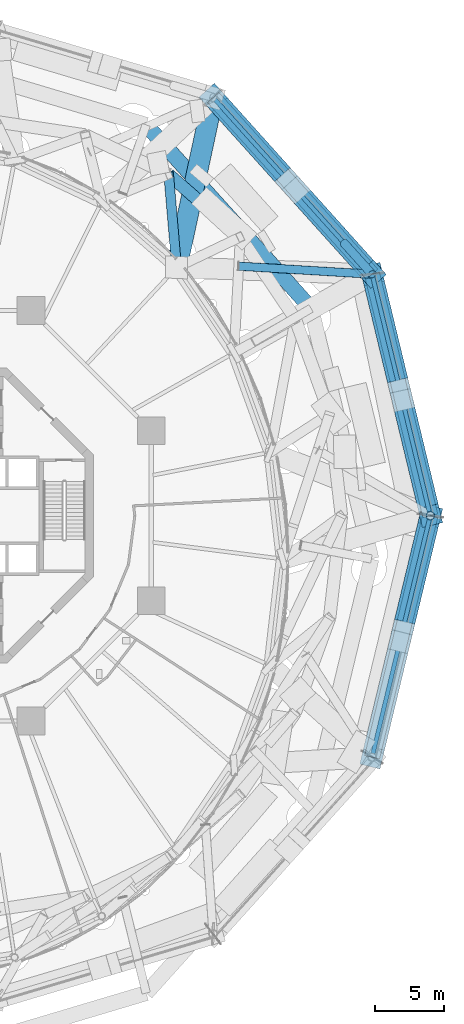
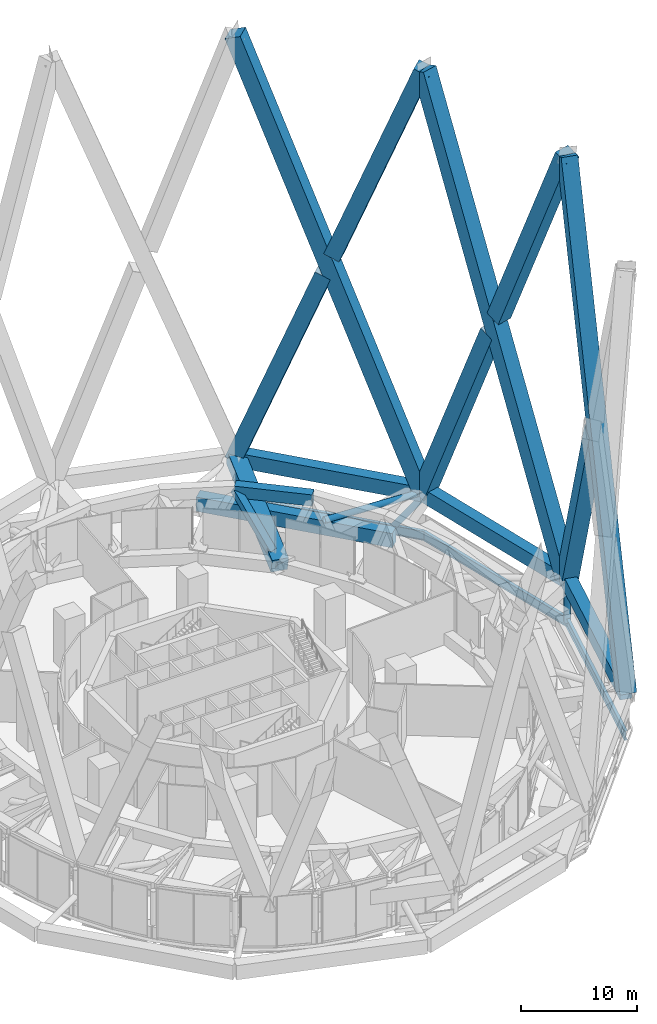
# One storey, part 34 of 49: 16 members, 5 beams.
"""IFC4 building model written with IfcOpenShell, lengths in metres."""

from ifc_helpers import new_model, si_unit, direction, frame, origin, origin_2d, place, context, subcontext, project, spatial, rectangle, hollow_rectangle, hollow_circle, i_section, extrude, material, material_profile, profile_set, type_object, element, save


model = new_model("IFC4")

# Units and contexts
model_context = context("Model", 3, precision=1e-05, world=origin(), true_north=direction((0.0, 1.0)))
body_context = subcontext(model_context, "Body", "Model", "MODEL_VIEW")
ifc_project = project(units=[si_unit("LENGTHUNIT", "METRE"), si_unit("AREAUNIT", "SQUARE_METRE"), si_unit("VOLUMEUNIT", "CUBIC_METRE"), si_unit("PLANEANGLEUNIT", "RADIAN"), si_unit("MASSUNIT", "GRAM", prefix="KILO")], contexts=[model_context])

# Site, building, storey
site_placement = place(None, origin())
site = spatial("IfcSite", under=ifc_project, at=site_placement, CompositionType="ELEMENT")
building_placement = place(site_placement, origin())
building = spatial("IfcBuilding", under=site, at=building_placement, Name="Nagisa Residences", CompositionType="ELEMENT")
storey_placement = place(building_placement, frame((0.0, 0.0, 160.300048828125)))
storey = spatial("IfcBuildingStorey", under=building, at=storey_placement, Name="L40", CompositionType="ELEMENT", Elevation=160.300048828125)

# Beams
ifc_material_1 = material(Name="Steel ASTM A572 Gr 50", Category="steel")
ifc_material_profile_1 = material_profile(ifc_material_1, hollow_rectangle(XDim=0.89990234375, YDim=1.199951171875, WallThickness=0.044921875, at=origin_2d()), Name="BX 900x1200x45")
ifc_profile_set_1 = profile_set([ifc_material_profile_1], Name="Steel ASTM A572 Gr 50")
beam_type_1 = type_object("IfcBeamType", Name="Belt chord 3 BX 900x1200x45", PredefinedType="BEAM", material=ifc_profile_set_1)
beam_1_placement = place(storey_placement, frame((21.189208984375, 20.064208984375, 4.739990234375), z_axis=(-0.752459604725, 0.658638400989, 0.0), x_axis=(-0.658638400989, -0.752459604725, 0.0)))
element("IfcBeam", 1, at=beam_1_placement, inside=storey, type_object=beam_type_1, Name="beam:L40:bt3t04", PredefinedType="BEAM", context=body_context, shape_type="SweptSolid", body=[
    extrude(hollow_rectangle(XDim=0.89990234375, YDim=1.199951171875, WallThickness=0.044921875, at=origin_2d()), origin(), (0.0, 0.0, 1.0), 6.846435546875),
])
ifc_material_2 = material(Name="Steel ASTM A572 Gr 50", Category="steel")
ifc_material_profile_2 = material_profile(ifc_material_2, hollow_rectangle(XDim=0.699951171875, YDim=0.699951171875, WallThickness=0.0400390625, at=origin_2d()), Name="BX 700x700x40")
ifc_profile_set_2 = profile_set([ifc_material_profile_2], Name="Steel ASTM A572 Gr 50")
beam_type_2 = type_object("IfcBeamType", Name="Belt diagonal 3 BX 700x700x40", PredefinedType="BEAM", material=ifc_profile_set_2)
beam_2_placement = place(storey_placement, frame((16.609619140625, 17.8798828125, 0.599853515625), z_axis=(-0.072487812944, 0.848228069772, 0.524647175372), x_axis=(-0.996368350853, -0.085147574353, 0.0)))
element("IfcBeam", 2, at=beam_2_placement, inside=storey, type_object=beam_type_2, Name="beam:L40:bt3db04", PredefinedType="BEAM", context=body_context, shape_type="SweptSolid", body=[
    extrude(hollow_rectangle(XDim=0.699951171875, YDim=0.699951171875, WallThickness=0.0400390625, at=origin_2d()), origin(), (0.0, 0.0, 1.0), 7.891357421875),
])

# Members
ifc_material_3 = material(Name="Concrete C80", Category="concrete")
ifc_material_profile_3 = material_profile(ifc_material_3, rectangle(XDim=1.5, YDim=1.5, at=origin_2d()), Name="C80 1500x1500")
ifc_profile_set_3 = profile_set([ifc_material_profile_3], Name="Concrete C80")
member_type_1 = type_object("IfcMemberType", Name="Cage bracket 4 C80 1500x1500", PredefinedType="BRACE", material=ifc_profile_set_3)
member_1_placement = place(storey_placement, frame((19.237548828125, 30.115966796875, 3.699951171875), z_axis=(-0.203820613095, -0.949023161253, -0.240441670855), x_axis=(0.977705532642, -0.209980693018, 0.0)))
element("IfcMember", 3, at=member_1_placement, inside=storey, type_object=member_type_1, Name="mem:L40:cg3ob06", PredefinedType="BRACE", context=body_context, shape_type="SweptSolid", body=[
    extrude(rectangle(XDim=1.5, YDim=1.5, at=origin_2d()), origin(), (0.0, 0.0, 1.0), 12.893310546875),
])
ifc_material_4 = material(Name="Concrete C80", Category="concrete")
ifc_material_profile_4 = material_profile(ifc_material_4, rectangle(XDim=1.5, YDim=1.5, at=origin_2d()), Name="C80 1500x1500")
ifc_profile_set_4 = profile_set([ifc_material_profile_4], Name="Concrete C80")
member_type_2 = type_object("IfcMemberType", Name="Cage diagonal 4 C80 1500x1500", PredefinedType="BRACE", material=ifc_profile_set_4)
member_2_placement = place(storey_placement, frame((34.875, 0.0, 3.699951171875), z_axis=(-0.087363866496, 0.362543247174, 0.927863108847), x_axis=(-0.972171785839, -0.234269116227, 0.0)))
element("IfcMember", 4, at=member_2_placement, inside=storey, type_object=member_type_2, Name="mem:L40:cg4d001", PredefinedType="BRACE", context=body_context, shape_type="SweptSolid", body=[
    extrude(rectangle(XDim=1.5, YDim=1.5, at=origin_2d()), origin(), (0.0, 0.0, 1.0), 47.959716796875),
])
for number, where, z_axis, x_axis, name in (
    (5, (30.68505859375, 17.387451171875, 3.699951171875), (0.087360332, -0.362545377801, 0.927862609133), (0.97217425792, 0.23425885733, 0.0), "mem:L40:cg4d002a"),
    (6, (32.872802734375, 8.30810546875, 26.93701171875), (0.087370904377, -0.362545040356, 0.92786174551), (0.972167751465, 0.234285857472, 0.0), "mem:L40:cg4d002b"),
):
    element("IfcMember", number, at=place(storey_placement, frame(where, z_axis=z_axis, x_axis=x_axis)), inside=storey, type_object=member_type_2, Name=name, PredefinedType="BRACE", context=body_context, shape_type="SweptSolid", body=[
        extrude(rectangle(XDim=1.5, YDim=1.5, at=origin_2d()), origin(), (0.0, 0.0, 1.0), 22.916015625),
    ])
member_3_placement = place(storey_placement, frame((30.68505859375, 17.387451171875, 3.699951171875), z_axis=(-0.24009418138, 0.266961339343, 0.933320109803), x_axis=(-0.743530948763, -0.668701524024, 0.0)))
element("IfcMember", 7, at=member_3_placement, inside=storey, type_object=member_type_2, Name="mem:L40:cg4d003", PredefinedType="BRACE", context=body_context, shape_type="SweptSolid", body=[
    extrude(rectangle(XDim=1.5, YDim=1.5, at=origin_2d()), origin(), (0.0, 0.0, 1.0), 47.67919921875),
])
for number, where, z_axis, x_axis, name in (
    (8, (19.237548828125, 30.115966796875, 3.699951171875), (0.240088711993, -0.266960868955, 0.933321651319), (0.743537936889, 0.668693753827, 0.0), "mem:L40:cg4d004a"),
    (9, (25.22509765625, 23.458251953125, 26.975830078125), (0.240098829084, -0.266960180827, 0.933319245556), (0.743523069857, 0.668710284496, 0.0), "mem:L40:cg4d004b"),
):
    element("IfcMember", number, at=place(storey_placement, frame(where, z_axis=z_axis, x_axis=x_axis)), inside=storey, type_object=member_type_2, Name=name, PredefinedType="BRACE", context=body_context, shape_type="SweptSolid", body=[
        extrude(rectangle(XDim=1.5, YDim=1.5, at=origin_2d()), origin(), (0.0, 0.0, 1.0), 22.740478515625),
    ])
member_4_placement = place(storey_placement, frame((30.68505859375, -17.387451171875, 3.699951171875), z_axis=(0.087363866496, 0.362543247174, 0.927863108847), x_axis=(-0.972171785839, 0.234269116227, 0.0)))
element("IfcMember", 10, at=member_4_placement, inside=storey, type_object=member_type_2, Name="mem:L40:cg4d023", PredefinedType="BRACE", context=body_context, shape_type="SweptSolid", body=[
    extrude(rectangle(XDim=1.5, YDim=1.5, at=origin_2d()), origin(), (0.0, 0.0, 1.0), 47.959716796875),
])
member_5_placement = place(storey_placement, frame((34.875, 0.0, 3.699951171875), z_axis=(-0.087370904377, -0.362545040356, 0.92786174551), x_axis=(0.972167751465, -0.234285857472, 0.0)))
element("IfcMember", 11, at=member_5_placement, inside=storey, type_object=member_type_2, Name="mem:L40:cg4d024a", PredefinedType="BRACE", context=body_context, shape_type="SweptSolid", body=[
    extrude(rectangle(XDim=1.5, YDim=1.5, at=origin_2d()), origin(), (0.0, 0.0, 1.0), 22.916015625),
])
ifc_material_5 = material(Name="Concrete C80", Category="concrete")
ifc_material_profile_5 = material_profile(ifc_material_5, rectangle(XDim=1.10009765625, YDim=1.5, at=origin_2d()), Name="C80 1100x1500")
ifc_profile_set_5 = profile_set([ifc_material_profile_5], Name="Concrete C80")
member_type_3 = type_object("IfcMemberType", Name="Cage ring 3 C80 1100x1500", PredefinedType="CHORD", material=ifc_profile_set_5)
member_6_placement = place(storey_placement, frame((26.28955078125, 14.9296875, 1.89990234375), z_axis=(-0.668384358663, 0.743816072087, 0.0), x_axis=(-0.743816072087, -0.668384358663, 0.0)))
element("IfcMember", 12, at=member_6_placement, inside=storey, type_object=member_type_3, Name="beam:L40:cg3r102", PredefinedType="CHORD", context=body_context, shape_type="SweptSolid", body=[
    extrude(rectangle(XDim=1.10009765625, YDim=1.5, at=origin_2d()), origin(), (0.0, 0.0, 1.0), 17.762451171875),
])
ifc_material_6 = material(Name="Concrete C80", Category="concrete")
ifc_material_profile_6 = material_profile(ifc_material_6, rectangle(XDim=1.10009765625, YDim=1.5, at=origin_2d()), Name="C80 1100x1500")
ifc_profile_set_6 = profile_set([ifc_material_profile_6], Name="Concrete C80")
member_type_4 = type_object("IfcMemberType", Name="Cage ring 4 C80 1100x1500", PredefinedType="CHORD", material=ifc_profile_set_6)
member_7_placement = place(storey_placement, frame((34.875, 0.0, 3.699951171875), z_axis=(-0.234269116227, 0.972171785839, 0.0), x_axis=(-0.972171785839, -0.234269116227, 0.0)))
element("IfcMember", 13, at=member_7_placement, inside=storey, type_object=member_type_4, Name="beam:L40:cg4r001", PredefinedType="CHORD", context=body_context, shape_type="SweptSolid", body=[
    extrude(rectangle(XDim=1.10009765625, YDim=1.5, at=origin_2d()), origin(), (0.0, 0.0, 1.0), 17.88525390625),
])
member_8_placement = place(storey_placement, frame((30.68505859375, 17.387451171875, 3.699951171875), z_axis=(-0.668701524024, 0.743530948763, 0.0), x_axis=(-0.743530948763, -0.668701524024, 0.0)))
element("IfcMember", 14, at=member_8_placement, inside=storey, type_object=member_type_4, Name="beam:L40:cg4r002", PredefinedType="CHORD", context=body_context, shape_type="SweptSolid", body=[
    extrude(rectangle(XDim=1.10009765625, YDim=1.5, at=origin_2d()), origin(), (0.0, 0.0, 1.0), 17.118896484375),
])
member_9_placement = place(storey_placement, frame((30.68505859375, -17.387451171875, 3.699951171875), z_axis=(0.234269116227, 0.972171785839, 0.0), x_axis=(-0.972171785839, 0.234269116227, 0.0)))
element("IfcMember", 15, at=member_9_placement, inside=storey, type_object=member_type_4, Name="beam:L40:cg4r012", PredefinedType="CHORD", context=body_context, shape_type="SweptSolid", body=[
    extrude(rectangle(XDim=1.10009765625, YDim=1.5, at=origin_2d()), origin(), (0.0, 0.0, 1.0), 17.88525390625),
])
ifc_material_7 = material(Name="Steel ASTM A572 Gr 65", Category="steel")
ifc_material_profile_7 = material_profile(ifc_material_7, hollow_circle(Radius=0.304931640625, WallThickness=0.02490234375, at=origin_2d()), Name="CHS 610x25")
ifc_profile_set_7 = profile_set([ifc_material_profile_7], Name="Steel ASTM A572 Gr 65")
member_type_5 = type_object("IfcMemberType", Name="Cage strut CHS 610x25", PredefinedType="STRUT", material=ifc_profile_set_7)
member_10_placement = place(storey_placement, frame((30.68505859375, 17.387451171875, 3.699951171875), z_axis=(-0.998163666199, 0.060574709908, 0.0), x_axis=(-0.060574709908, -0.998163666199, 0.0)))
element("IfcMember", 16, at=member_10_placement, inside=storey, type_object=member_type_5, Name="mem:L40:bt3st4b02", PredefinedType="STRUT", context=body_context, shape_type="SweptSolid", body=[
    extrude(hollow_circle(Radius=0.304931640625, WallThickness=0.02490234375, at=origin_2d()), origin(), (0.0, 0.0, 1.0), 9.62451171875),
])

# Beams
ifc_material_8 = material(Name="Steel ASTM A572 Gr 50", Category="steel")
ifc_material_profile_8 = material_profile(ifc_material_8, i_section(OverallWidth=0.300048828125, OverallDepth=0.97998046875, WebThickness=0.0166015625, FlangeThickness=0.02587890625, at=origin_2d()), Name="W1000x249")
ifc_profile_set_8 = profile_set([ifc_material_profile_8], Name="Steel ASTM A572 Gr 50")
beam_type_3 = type_object("IfcBeamType", Name="Deck edge beam W1000x249", PredefinedType="BEAM", material=ifc_profile_set_8)
beam_3_placement = place(storey_placement, frame((34.875, 0.0, -0.89013671875), z_axis=(-0.234269116227, 0.972171785839, 0.0), x_axis=(-0.972171785839, -0.234269116227, 0.0)))
element("IfcBeam", 17, at=beam_3_placement, inside=storey, type_object=beam_type_3, Name="beam:L40:deckedge01", PredefinedType="BEAM", context=body_context, shape_type="SweptSolid", body=[
    extrude(i_section(OverallWidth=0.300048828125, OverallDepth=0.97998046875, WebThickness=0.0166015625, FlangeThickness=0.02587890625, at=origin_2d()), origin(), (0.0, 0.0, 1.0), 17.88525390625),
])
beam_4_placement = place(storey_placement, frame((30.68505859375, 17.387451171875, -0.89013671875), z_axis=(-0.668701524024, 0.743530948763, 0.0), x_axis=(-0.743530948763, -0.668701524024, 0.0)))
element("IfcBeam", 18, at=beam_4_placement, inside=storey, type_object=beam_type_3, Name="beam:L40:deckedge02", PredefinedType="BEAM", context=body_context, shape_type="SweptSolid", body=[
    extrude(i_section(OverallWidth=0.300048828125, OverallDepth=0.97998046875, WebThickness=0.0166015625, FlangeThickness=0.02587890625, at=origin_2d()), origin(), (0.0, 0.0, 1.0), 17.118896484375),
])
beam_5_placement = place(storey_placement, frame((30.68505859375, -17.387451171875, -0.89013671875), z_axis=(0.234269116227, 0.972171785839, 0.0), x_axis=(-0.972171785839, 0.234269116227, 0.0)))
element("IfcBeam", 19, at=beam_5_placement, inside=storey, type_object=beam_type_3, Name="beam:L40:deckedge10", PredefinedType="BEAM", context=body_context, shape_type="SweptSolid", body=[
    extrude(i_section(OverallWidth=0.300048828125, OverallDepth=0.97998046875, WebThickness=0.0166015625, FlangeThickness=0.02587890625, at=origin_2d()), origin(), (0.0, 0.0, 1.0), 17.88525390625),
])

# Members
ifc_material_9 = material(Name="Steel ASTM A572 Gr 65", Category="steel")
ifc_material_profile_9 = material_profile(ifc_material_9, hollow_circle(Radius=0.304931640625, WallThickness=0.02490234375, at=origin_2d()), Name="CHS 610x25")
ifc_profile_set_9 = profile_set([ifc_material_profile_9], Name="Steel ASTM A572 Gr 65")
member_type_6 = type_object("IfcMemberType", Name="Deck hanger CHS 610x25", PredefinedType="POST", material=ifc_profile_set_9)
member_11_placement = place(storey_placement, frame((34.875, 0.0, 2.949951171875), z_axis=(0.0, 0.0, -1.0), x_axis=(1.0, 0.0, 0.0)))
element("IfcMember", 20, at=member_11_placement, inside=storey, type_object=member_type_6, Name="mem:L40:deckhanger01", PredefinedType="POST", context=body_context, shape_type="SweptSolid", body=[
    extrude(hollow_circle(Radius=0.304931640625, WallThickness=0.02490234375, at=origin_2d()), origin(), (0.0, 0.0, 1.0), 3.840087890625),
])
ifc_material_10 = material(Name="Steel ASTM A572 Gr 65", Category="steel")
ifc_material_profile_10 = material_profile(ifc_material_10, hollow_circle(Radius=0.304931640625, WallThickness=0.02490234375, at=origin_2d()), Name="CHS 610x25")
ifc_profile_set_10 = profile_set([ifc_material_profile_10], Name="Steel ASTM A572 Gr 65")
member_type_7 = type_object("IfcMemberType", Name="Raked deck hanger CHS 610x25", PredefinedType="BRACE", material=ifc_profile_set_10)
member_12_placement = place(storey_placement, frame((30.68505859375, 17.387451171875, 3.300048828125), z_axis=(-0.389272866404, 0.432857025719, -0.813081441657), x_axis=(-0.743549016124, -0.668681434332, 0.0)))
element("IfcMember", 21, at=member_12_placement, inside=storey, type_object=member_type_7, Name="mem:L40:deckhanger02", PredefinedType="BRACE", context=body_context, shape_type="SweptSolid", body=[
    extrude(hollow_circle(Radius=0.304931640625, WallThickness=0.02490234375, at=origin_2d()), origin(), (0.0, 0.0, 1.0), 5.153564453125),
])

save(model, "model.ifc")
